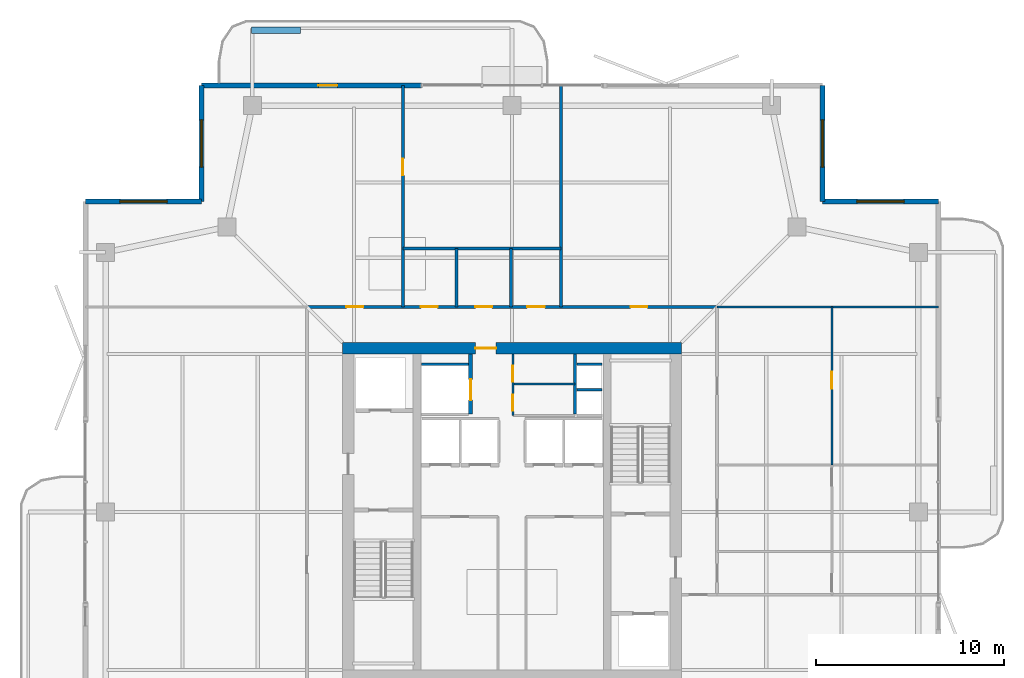
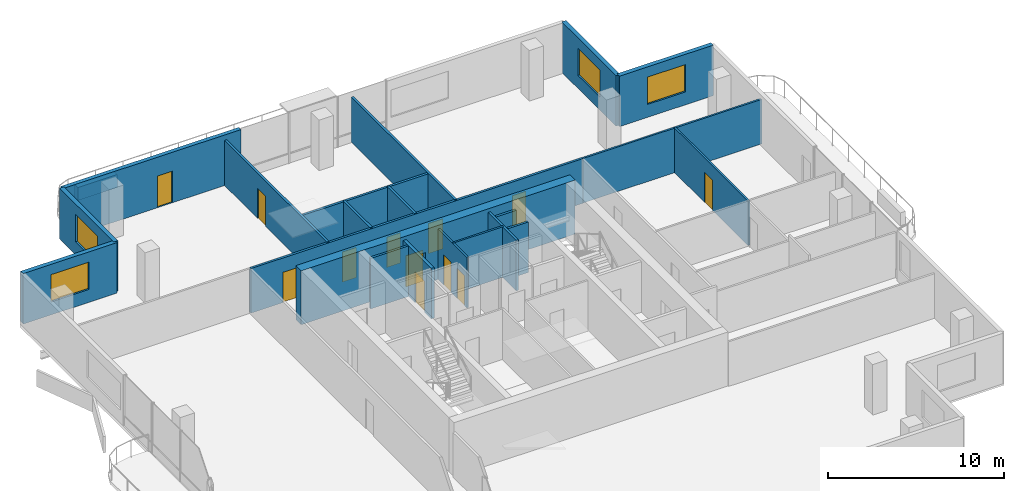
# One storey, part 14 of 18: 22 walls, 12 doors, 4 windows, 16 openings.
"""IFC4 building model written with IfcOpenShell, lengths in metres."""

from ifc_helpers import new_model, si_unit, direction, frame, frame_2d, origin, place, context, subcontext, project, spatial, rectangle, extrude, material, layer, layer_set, type_object, element, fill, save


model = new_model("IFC4")

# Units and contexts
model_context = context("Model", 3, precision=1e-05, world=origin(), true_north=direction((0.0, 1.0)))
body_context = subcontext(model_context, "Body", "Model", "MODEL_VIEW")
ifc_project = project(units=[si_unit("LENGTHUNIT", "METRE"), si_unit("AREAUNIT", "SQUARE_METRE"), si_unit("VOLUMEUNIT", "CUBIC_METRE"), si_unit("PLANEANGLEUNIT", "RADIAN"), si_unit("MASSUNIT", "GRAM", prefix="KILO")], contexts=[model_context])

# Site, building, storey
site_placement = place(None, origin())
site = spatial("IfcSite", under=ifc_project, at=site_placement, CompositionType="ELEMENT")
building_placement = place(site_placement, origin())
building = spatial("IfcBuilding", under=site, at=building_placement, Name="Belovzor Exchange Tower", CompositionType="ELEMENT")
storey_placement = place(building_placement, frame((0.0, 0.0, 318.0)))
storey = spatial("IfcBuildingStorey", under=building, at=storey_placement, Name="L79", CompositionType="ELEMENT", Elevation=318.0)

# Wall, opening, door
ifc_material_1 = material(Name="Acoustic Plasterboard on Galvanised Studs", Category="gypsum")
ifc_layer_1 = layer(ifc_material_1, 0.1201171875)
ifc_layer_set_1 = layer_set([ifc_layer_1], Name="Acoustic Plasterboard on Galvanised Studs")
wall_type_1 = type_object("IfcWallType", Name="Acoustic Double-Stud Partition Wall 120", PredefinedType="PARTITIONING", material=ifc_layer_set_1)
wall_1_placement = place(storey_placement, frame((45.802978515625, 31.294921875, 0.0), z_axis=(0.0, 0.0, 1.0), x_axis=(0.0, 1.0, 0.0)))
wall_1 = element("IfcWall", 1, at=wall_1_placement, inside=storey, type_object=wall_type_1, Name="W-P120 Partition Wall W-L79-EHDIV-2", PredefinedType="PARTITIONING", context=body_context, shape_type="SweptSolid", body=[
    extrude(rectangle(XDim=8.405029296875, YDim=0.1201171875, at=frame_2d((4.20263671875, 0.0))), origin(), (0.0, 0.0, 1.0), 3.094970703125),
])
opening_1_placement = place(wall_1_placement, frame((4.049072265625, 0.0, 0.0)))
opening_1 = element("IfcOpeningElement", 2, at=opening_1_placement, cuts=wall_1, Name="Opening D-INT-090", PredefinedType="OPENING", context=body_context, shape_type="SweptSolid", body=[
    extrude(rectangle(XDim=0.89990234375, YDim=2.10009765625, at=frame_2d((0.449951171875, 1.050048828125))), frame((0.0, 0.070068359375, 0.0), z_axis=(0.0, -1.0, 0.0), x_axis=(1.0, 0.0, 0.0)), (0.0, 0.0, 1.0), 0.14013671875),
])
ifc_material_2 = material(Name="Veneered Hardwood Acoustic Leaf", Category="wood")
door_type_1 = type_object("IfcDoorType", Name="Trading Suite Acoustic Single Door 900x2100", OperationType="NOTDEFINED", PredefinedType="DOOR", material=ifc_material_2)
door_1_placement = place(opening_1_placement, origin())
door_1 = element("IfcDoor", 3, at=door_1_placement, inside=storey, type_object=door_type_1, Name="D-INT-090 Trading Suite Acoustic Single Door 900x2100", OperationType="SINGLE_SWING_RIGHT", OverallHeight=2.10009765625, OverallWidth=0.89990234375, PredefinedType="DOOR", context=body_context, shape_type="SweptSolid", body=[
    extrude(rectangle(XDim=0.89990234375, YDim=2.10009765625, at=frame_2d((0.449951171875, 1.050048828125))), frame((0.0, 0.02490234375, 0.0), z_axis=(0.0, -1.0, 0.0), x_axis=(1.0, 0.0, 0.0)), (0.0, 0.0, 1.0), 0.050048828125),
])
fill(opening_1, door_1)

# Wall
wall_2_placement = place(storey_placement, frame((39.699951171875, 39.699951171875, 0.0), z_axis=(0.0, 0.0, 1.0), x_axis=(1.0, 0.0, 0.0)))
element("IfcWall", 4, at=wall_2_placement, inside=storey, type_object=wall_type_1, Name="W-P120 Partition Wall W-L79-END-NE", PredefinedType="PARTITIONING", context=body_context, shape_type="SweptSolid", body=[
    extrude(rectangle(XDim=11.77001953125, YDim=0.1201171875, at=frame_2d((5.885009765625, 0.0))), origin(), (0.0, 0.0, 1.0), 3.094970703125),
])

# Wall, openings, doors
ifc_material_3 = material(Name="Fire-Rated Plasterboard on Galvanised Studs", Category="gypsum")
ifc_layer_2 = layer(ifc_material_3, 0.1201171875)
ifc_layer_set_2 = layer_set([ifc_layer_2], Name="Fire-Rated Plasterboard on Galvanised Studs")
wall_type_2 = type_object("IfcWallType", Name="Fire-Rated Double-Stud Partition Wall 120", PredefinedType="PARTITIONING", material=ifc_layer_set_2)
wall_3_placement = place(storey_placement, frame((28.85009765625, 33.925048828125, 0.0), z_axis=(0.0, 0.0, 1.0), x_axis=(0.0, 1.0, 0.0)))
wall_3 = element("IfcWall", 5, at=wall_3_placement, inside=storey, type_object=wall_type_2, Name="W-P120F Partition Wall W-CRV-L79-W", PredefinedType="PARTITIONING", context=body_context, shape_type="SweptSolid", body=[
    extrude(rectangle(XDim=3.27490234375, YDim=0.1201171875, at=frame_2d((1.637451171875, 0.0))), origin(), (0.0, 0.0, 1.0), 3.510009765625),
])
opening_2_placement = place(wall_3_placement, frame((0.25, 0.0, 0.0)))
opening_2 = element("IfcOpeningElement", 6, at=opening_2_placement, cuts=wall_3, Name="Opening D-FD60-085", PredefinedType="OPENING", context=body_context, shape_type="SweptSolid", body=[
    extrude(rectangle(XDim=0.85009765625, YDim=2.10009765625, at=frame_2d((0.425048828125, 1.050048828125))), frame((0.0, 0.070068359375, 0.0), z_axis=(0.0, -1.0, 0.0), x_axis=(1.0, 0.0, 0.0)), (0.0, 0.0, 1.0), 0.14013671875),
])
opening_3_placement = place(wall_3_placement, frame((1.794921875, 0.0, 0.0)))
opening_3 = element("IfcOpeningElement", 7, at=opening_3_placement, cuts=wall_3, Name="Opening D-FD60-085", PredefinedType="OPENING", context=body_context, shape_type="SweptSolid", body=[
    extrude(rectangle(XDim=0.85009765625, YDim=2.10009765625, at=frame_2d((0.425048828125, 1.050048828125))), frame((0.0, 0.070068359375, 0.0), z_axis=(0.0, -1.0, 0.0), x_axis=(1.0, 0.0, 0.0)), (0.0, 0.0, 1.0), 0.14013671875),
])
ifc_material_4 = material(Name="Fire-Rated Steel Access Leaf", Category="steel")
door_type_2 = type_object("IfcDoorType", Name="Riser & Meter Closet Access Fire Door 850x2100", OperationType="NOTDEFINED", PredefinedType="DOOR", material=ifc_material_4)
door_2_placement = place(opening_2_placement, origin())
door_2 = element("IfcDoor", 8, at=door_2_placement, inside=storey, type_object=door_type_2, Name="D-FD60-085 Riser & Meter Closet Access Fire Door 850x2100", OperationType="SINGLE_SWING_LEFT", OverallHeight=2.10009765625, OverallWidth=0.85009765625, PredefinedType="DOOR", context=body_context, shape_type="SweptSolid", body=[
    extrude(rectangle(XDim=0.85009765625, YDim=2.10009765625, at=frame_2d((0.425048828125, 1.050048828125))), frame((0.0, 0.02490234375, 0.0), z_axis=(0.0, -1.0, 0.0), x_axis=(1.0, 0.0, 0.0)), (0.0, 0.0, 1.0), 0.050048828125),
])
fill(opening_2, door_2)
door_3_placement = place(opening_3_placement, origin())
door_3 = element("IfcDoor", 9, at=door_3_placement, inside=storey, type_object=door_type_2, Name="D-FD60-085 Riser & Meter Closet Access Fire Door 850x2100", OperationType="SINGLE_SWING_RIGHT", OverallHeight=2.10009765625, OverallWidth=0.85009765625, PredefinedType="DOOR", context=body_context, shape_type="SweptSolid", body=[
    extrude(rectangle(XDim=0.85009765625, YDim=2.10009765625, at=frame_2d((0.425048828125, 1.050048828125))), frame((0.0, 0.02490234375, 0.0), z_axis=(0.0, -1.0, 0.0), x_axis=(1.0, 0.0, 0.0)), (0.0, 0.0, 1.0), 0.050048828125),
])
fill(opening_3, door_3)

# Walls
wall_4_placement = place(storey_placement, frame((28.85009765625, 35.60009765625, 0.0), z_axis=(0.0, 0.0, 1.0), x_axis=(1.0, 0.0, 0.0)))
element("IfcWall", 10, at=wall_4_placement, inside=storey, type_object=wall_type_2, Name="W-P120F Partition Wall W-CRV-L79-M", PredefinedType="PARTITIONING", context=body_context, shape_type="SweptSolid", body=[
    extrude(rectangle(XDim=3.2998046875, YDim=0.1201171875, at=frame_2d((1.64990234375, 0.0))), origin(), (0.0, 0.0, 1.0), 3.510009765625),
])
ifc_material_5 = material(Name="Fire-Rated Gypsum Block and Mineral Wool", Category="gypsum")
ifc_layer_3 = layer(ifc_material_5, 0.14990234375)
ifc_layer_set_3 = layer_set([ifc_layer_3], Name="Fire-Rated Gypsum Block and Mineral Wool")
wall_type_3 = type_object("IfcWallType", Name="Fire-Rated Gypsum Block Corridor Wall 150", PredefinedType="PARTITIONING", material=ifc_layer_set_3)
wall_5_placement = place(storey_placement, frame((23.0, 42.800048828125, 0.0), z_axis=(0.0, 0.0, 1.0), x_axis=(1.0, 0.0, 0.0)))
element("IfcWall", 11, at=wall_5_placement, inside=storey, type_object=wall_type_3, Name="W-P150 Partition Wall W-L79-WCN", PredefinedType="PARTITIONING", context=body_context, shape_type="SweptSolid", body=[
    extrude(rectangle(XDim=8.39990234375, YDim=0.14990234375, at=frame_2d((4.199951171875, 0.0))), origin(), (0.0, 0.0, 1.0), 3.094970703125),
])

# Wall, opening, door
wall_6_placement = place(storey_placement, frame((23.0, 39.699951171875, 0.0), z_axis=(0.0, 0.0, 1.0), x_axis=(0.0, 1.0, 0.0)))
wall_6 = element("IfcWall", 12, at=wall_6_placement, inside=storey, type_object=wall_type_3, Name="W-P150 Partition Wall W-L79-WCW", PredefinedType="PARTITIONING", context=body_context, shape_type="SweptSolid", body=[
    extrude(rectangle(XDim=11.77001953125, YDim=0.14990234375, at=frame_2d((5.885009765625, 0.0))), origin(), (0.0, 0.0, 1.0), 3.135009765625),
])
opening_4_placement = place(wall_6_placement, frame((6.985107421875, 0.0, 0.0)))
opening_4 = element("IfcOpeningElement", 13, at=opening_4_placement, cuts=wall_6, Name="Opening D-INT-090", PredefinedType="OPENING", context=body_context, shape_type="SweptSolid", body=[
    extrude(rectangle(XDim=0.89990234375, YDim=2.10009765625, at=frame_2d((0.449951171875, 1.050048828125))), frame((0.0, 0.0849609375, 0.0), z_axis=(0.0, -1.0, 0.0), x_axis=(1.0, 0.0, 0.0)), (0.0, 0.0, 1.0), 0.169921875),
])
door_4_placement = place(opening_4_placement, origin())
door_4 = element("IfcDoor", 14, at=door_4_placement, inside=storey, type_object=door_type_1, Name="D-INT-090 Trading Suite Acoustic Single Door 900x2100", OperationType="SINGLE_SWING_LEFT", OverallHeight=2.10009765625, OverallWidth=0.89990234375, PredefinedType="DOOR", context=body_context, shape_type="SweptSolid", body=[
    extrude(rectangle(XDim=0.89990234375, YDim=2.10009765625, at=frame_2d((0.449951171875, 1.050048828125))), frame((0.0, 0.02490234375, 0.0), z_axis=(0.0, -1.0, 0.0), x_axis=(1.0, 0.0, 0.0)), (0.0, 0.0, 1.0), 0.050048828125),
])
fill(opening_4, door_4)

# Walls
wall_7_placement = place(storey_placement, frame((31.39990234375, 39.699951171875, 0.0), z_axis=(0.0, 0.0, 1.0), x_axis=(0.0, 1.0, 0.0)))
element("IfcWall", 15, at=wall_7_placement, inside=storey, type_object=wall_type_3, Name="W-P150 Partition Wall W-L79-WCE", PredefinedType="PARTITIONING", context=body_context, shape_type="SweptSolid", body=[
    extrude(rectangle(XDim=11.77001953125, YDim=0.14990234375, at=frame_2d((5.885009765625, 0.0))), origin(), (0.0, 0.0, 1.0), 3.135009765625),
])
wall_8_placement = place(storey_placement, frame((25.85009765625, 39.699951171875, 0.0), z_axis=(0.0, 0.0, 1.0), x_axis=(0.0, 1.0, 0.0)))
element("IfcWall", 16, at=wall_8_placement, inside=storey, type_object=wall_type_3, Name="W-P150 Partition Wall W-L79-WCD1", PredefinedType="PARTITIONING", context=body_context, shape_type="SweptSolid", body=[
    extrude(rectangle(XDim=3.10009765625, YDim=0.14990234375, at=frame_2d((1.550048828125, 0.0))), origin(), (0.0, 0.0, 1.0), 3.135009765625),
])
wall_9_placement = place(storey_placement, frame((28.75, 39.699951171875, 0.0), z_axis=(0.0, 0.0, 1.0), x_axis=(0.0, 1.0, 0.0)))
element("IfcWall", 17, at=wall_9_placement, inside=storey, type_object=wall_type_3, Name="W-P150 Partition Wall W-L79-WCD2", PredefinedType="PARTITIONING", context=body_context, shape_type="SweptSolid", body=[
    extrude(rectangle(XDim=3.10009765625, YDim=0.14990234375, at=frame_2d((1.550048828125, 0.0))), origin(), (0.0, 0.0, 1.0), 3.094970703125),
])

# Wall, openings, doors
wall_10_placement = place(storey_placement, frame((17.89990234375, 39.699951171875, 0.0), z_axis=(0.0, 0.0, 1.0), x_axis=(1.0, 0.0, 0.0)))
wall_10 = element("IfcWall", 18, at=wall_10_placement, inside=storey, type_object=wall_type_3, Name="W-P150 Partition Wall W-L79-CN", PredefinedType="PARTITIONING", context=body_context, shape_type="SweptSolid", body=[
    extrude(rectangle(XDim=21.800048828125, YDim=0.14990234375, at=frame_2d((10.89990234375, 0.0))), origin(), (0.0, 0.0, 1.0), 3.094970703125),
])
opening_5_placement = place(wall_10_placement, frame((2.10009765625, 0.0, 0.0)))
opening_5 = element("IfcOpeningElement", 19, at=opening_5_placement, cuts=wall_10, Name="Opening D-INT-090", PredefinedType="OPENING", context=body_context, shape_type="SweptSolid", body=[
    extrude(rectangle(XDim=0.89990234375, YDim=2.10009765625, at=frame_2d((0.449951171875, 1.050048828125))), frame((0.0, 0.0849609375, 0.0), z_axis=(0.0, -1.0, 0.0), x_axis=(1.0, 0.0, 0.0)), (0.0, 0.0, 1.0), 0.169921875),
])
opening_6_placement = place(wall_10_placement, frame((6.050048828125, 0.0, 0.0)))
opening_6 = element("IfcOpeningElement", 20, at=opening_6_placement, cuts=wall_10, Name="Opening D-FD60-090", PredefinedType="OPENING", context=body_context, shape_type="SweptSolid", body=[
    extrude(rectangle(XDim=0.89990234375, YDim=2.10009765625, at=frame_2d((0.449951171875, 1.050048828125))), frame((0.0, 0.0849609375, 0.0), z_axis=(0.0, -1.0, 0.0), x_axis=(1.0, 0.0, 0.0)), (0.0, 0.0, 1.0), 0.169921875),
])
opening_7_placement = place(wall_10_placement, frame((8.949951171875, 0.0, 0.0)))
opening_7 = element("IfcOpeningElement", 21, at=opening_7_placement, cuts=wall_10, Name="Opening D-FD60-090", PredefinedType="OPENING", context=body_context, shape_type="SweptSolid", body=[
    extrude(rectangle(XDim=0.89990234375, YDim=2.10009765625, at=frame_2d((0.449951171875, 1.050048828125))), frame((0.0, 0.0849609375, 0.0), z_axis=(0.0, -1.0, 0.0), x_axis=(1.0, 0.0, 0.0)), (0.0, 0.0, 1.0), 0.169921875),
])
opening_8_placement = place(wall_10_placement, frame((11.699951171875, 0.0, 0.0)))
opening_8 = element("IfcOpeningElement", 22, at=opening_8_placement, cuts=wall_10, Name="Opening D-FD60-095", PredefinedType="OPENING", context=body_context, shape_type="SweptSolid", body=[
    extrude(rectangle(XDim=0.949951171875, YDim=2.10009765625, at=frame_2d((0.47509765625, 1.050048828125))), frame((0.0, 0.0849609375, 0.0), z_axis=(0.0, -1.0, 0.0), x_axis=(1.0, 0.0, 0.0)), (0.0, 0.0, 1.0), 0.169921875),
])
opening_9_placement = place(wall_10_placement, frame((17.199951171875, 0.0, 0.0)))
opening_9 = element("IfcOpeningElement", 23, at=opening_9_placement, cuts=wall_10, Name="Opening D-INT-090", PredefinedType="OPENING", context=body_context, shape_type="SweptSolid", body=[
    extrude(rectangle(XDim=0.89990234375, YDim=2.10009765625, at=frame_2d((0.449951171875, 1.050048828125))), frame((0.0, 0.0849609375, 0.0), z_axis=(0.0, -1.0, 0.0), x_axis=(1.0, 0.0, 0.0)), (0.0, 0.0, 1.0), 0.169921875),
])
ifc_material_6 = material(Name="Moisture-Resistant Timber Fire Leaf", Category="wood")
door_type_3 = type_object("IfcDoorType", Name="Accessible Restroom Wide Fire Door 950x2100", OperationType="NOTDEFINED", PredefinedType="DOOR", material=ifc_material_6)
door_5_placement = place(opening_8_placement, origin())
door_5 = element("IfcDoor", 24, at=door_5_placement, inside=storey, type_object=door_type_3, Name="D-FD60-095 Accessible Restroom Wide Fire Door 950x2100", OperationType="SINGLE_SWING_LEFT", OverallHeight=2.10009765625, OverallWidth=0.949951171875, PredefinedType="DOOR", context=body_context, shape_type="SweptSolid", body=[
    extrude(rectangle(XDim=0.949951171875, YDim=2.10009765625, at=frame_2d((0.47509765625, 1.050048828125))), frame((0.0, 0.02490234375, 0.0), z_axis=(0.0, -1.0, 0.0), x_axis=(1.0, 0.0, 0.0)), (0.0, 0.0, 1.0), 0.050048828125),
])
fill(opening_8, door_5)
ifc_material_7 = material(Name="Acoustic Timber Fire Leaf", Category="wood")
door_type_4 = type_object("IfcDoorType", Name="Core Service & Restroom Fire Door 900x2100", OperationType="NOTDEFINED", PredefinedType="DOOR", material=ifc_material_7)
door_6_placement = place(opening_6_placement, origin())
door_6 = element("IfcDoor", 25, at=door_6_placement, inside=storey, type_object=door_type_4, Name="D-FD60-090 Core Service & Restroom Fire Door 900x2100", OperationType="SINGLE_SWING_LEFT", OverallHeight=2.10009765625, OverallWidth=0.89990234375, PredefinedType="DOOR", context=body_context, shape_type="SweptSolid", body=[
    extrude(rectangle(XDim=0.89990234375, YDim=2.10009765625, at=frame_2d((0.449951171875, 1.050048828125))), frame((0.0, 0.02490234375, 0.0), z_axis=(0.0, -1.0, 0.0), x_axis=(1.0, 0.0, 0.0)), (0.0, 0.0, 1.0), 0.050048828125),
])
fill(opening_6, door_6)
door_7_placement = place(opening_7_placement, origin())
door_7 = element("IfcDoor", 26, at=door_7_placement, inside=storey, type_object=door_type_4, Name="D-FD60-090 Core Service & Restroom Fire Door 900x2100", OperationType="SINGLE_SWING_RIGHT", OverallHeight=2.10009765625, OverallWidth=0.89990234375, PredefinedType="DOOR", context=body_context, shape_type="SweptSolid", body=[
    extrude(rectangle(XDim=0.89990234375, YDim=2.10009765625, at=frame_2d((0.449951171875, 1.050048828125))), frame((0.0, 0.02490234375, 0.0), z_axis=(0.0, -1.0, 0.0), x_axis=(1.0, 0.0, 0.0)), (0.0, 0.0, 1.0), 0.050048828125),
])
fill(opening_7, door_7)
door_8_placement = place(opening_5_placement, origin())
door_8 = element("IfcDoor", 27, at=door_8_placement, inside=storey, type_object=door_type_1, Name="D-INT-090 Trading Suite Acoustic Single Door 900x2100", OperationType="SINGLE_SWING_LEFT", OverallHeight=2.10009765625, OverallWidth=0.89990234375, PredefinedType="DOOR", context=body_context, shape_type="SweptSolid", body=[
    extrude(rectangle(XDim=0.89990234375, YDim=2.10009765625, at=frame_2d((0.449951171875, 1.050048828125))), frame((0.0, 0.02490234375, 0.0), z_axis=(0.0, -1.0, 0.0), x_axis=(1.0, 0.0, 0.0)), (0.0, 0.0, 1.0), 0.050048828125),
])
fill(opening_5, door_8)
door_9_placement = place(opening_9_placement, origin())
door_9 = element("IfcDoor", 28, at=door_9_placement, inside=storey, type_object=door_type_1, Name="D-INT-090 Trading Suite Acoustic Single Door 900x2100", OperationType="SINGLE_SWING_RIGHT", OverallHeight=2.10009765625, OverallWidth=0.89990234375, PredefinedType="DOOR", context=body_context, shape_type="SweptSolid", body=[
    extrude(rectangle(XDim=0.89990234375, YDim=2.10009765625, at=frame_2d((0.449951171875, 1.050048828125))), frame((0.0, 0.02490234375, 0.0), z_axis=(0.0, -1.0, 0.0), x_axis=(1.0, 0.0, 0.0)), (0.0, 0.0, 1.0), 0.050048828125),
])
fill(opening_9, door_9)

# Wall, opening, window
ifc_material_8 = material(Name="Precast concrete C40/50", Category="concrete")
ifc_layer_4 = layer(ifc_material_8, 0.280029296875)
ifc_layer_set_4 = layer_set([ifc_layer_4], Name="Precast concrete C40/50")
wall_type_4 = type_object("IfcWallType", Name="Precast Concrete Notched Corner Frame Wall 280", PredefinedType="SOLIDWALL", material=ifc_layer_set_4)
wall_11_placement = place(storey_placement, frame((6.1298828125, 45.300048828125, 0.0), z_axis=(0.0, 0.0, 1.0), x_axis=(1.0, 0.0, 0.0)))
wall_11 = element("IfcWall", 29, at=wall_11_placement, inside=storey, type_object=wall_type_4, Name="W-CRN280 Precast Concrete Notched Corner Frame Wall 280 L79", PredefinedType="SOLIDWALL", context=body_context, shape_type="SweptSolid", body=[
    extrude(rectangle(XDim=6.170166015625, YDim=0.280029296875, at=frame_2d((3.0849609375, 0.0))), origin(), (0.0, 0.0, 1.0), 3.510009765625),
])
opening_10_placement = place(wall_11_placement, frame((1.8349609375, 0.0, 0.89990234375)))
opening_10 = element("IfcOpeningElement", 30, at=opening_10_placement, cuts=wall_11, Name="Opening WN-CRN250", PredefinedType="OPENING", context=body_context, shape_type="SweptSolid", body=[
    extrude(rectangle(XDim=2.5, YDim=1.89990234375, at=frame_2d((1.25, 0.949951171875))), frame((0.0, 0.14990234375, 0.0), z_axis=(0.0, -1.0, 0.0), x_axis=(1.0, 0.0, 0.0)), (0.0, 0.0, 1.0), 0.300048828125),
])
ifc_material_9 = material(Name="Thermally Broken Aluminium and Triple Glazing", Category="aluminium")
window_type = type_object("IfcWindowType", Name="Streamline Moderne Corner Wrap Ribbon Window 2500x1900", PartitioningType="SINGLE_PANEL", PredefinedType="WINDOW", material=ifc_material_9)
window_1_placement = place(opening_10_placement, origin())
window_1 = element("IfcWindow", 31, at=window_1_placement, inside=storey, type_object=window_type, Name="WN-CRN250 Streamline Moderne Corner Wrap Ribbon Window 2500x1900", OverallHeight=1.89990234375, OverallWidth=2.5, PartitioningType="SINGLE_PANEL", PredefinedType="WINDOW", context=body_context, shape_type="SweptSolid", body=[
    extrude(rectangle(XDim=2.5, YDim=1.89990234375, at=frame_2d((1.25, 0.949951171875))), frame((0.0, 0.030029296875, 0.0), z_axis=(0.0, -1.0, 0.0), x_axis=(1.0, 0.0, 0.0)), (0.0, 0.0, 1.0), 0.06005859375),
])
fill(opening_10, window_1)

wall_12_placement = place(storey_placement, frame((12.300048828125, 45.300048828125, 0.0), z_axis=(0.0, 0.0, 1.0), x_axis=(0.0, 1.0, 0.0)))
wall_12 = element("IfcWall", 32, at=wall_12_placement, inside=storey, type_object=wall_type_4, Name="W-CRN280 Precast Concrete Notched Corner Frame Wall 280 L79", PredefinedType="SOLIDWALL", context=body_context, shape_type="SweptSolid", body=[
    extrude(rectangle(XDim=6.169921875, YDim=0.280029296875, at=frame_2d((3.0849609375, 0.0))), origin(), (0.0, 0.0, 1.0), 3.510009765625),
])
opening_11_placement = place(wall_12_placement, frame((1.8349609375, 0.0, 0.89990234375)))
opening_11 = element("IfcOpeningElement", 33, at=opening_11_placement, cuts=wall_12, Name="Opening WN-CRN250", PredefinedType="OPENING", context=body_context, shape_type="SweptSolid", body=[
    extrude(rectangle(XDim=2.5, YDim=1.89990234375, at=frame_2d((1.25, 0.949951171875))), frame((0.0, 0.14990234375, 0.0), z_axis=(0.0, -1.0, 0.0), x_axis=(1.0, 0.0, 0.0)), (0.0, 0.0, 1.0), 0.300048828125),
])
window_2_placement = place(opening_11_placement, origin())
window_2 = element("IfcWindow", 34, at=window_2_placement, inside=storey, type_object=window_type, Name="WN-CRN250 Streamline Moderne Corner Wrap Ribbon Window 2500x1900", OverallHeight=1.89990234375, OverallWidth=2.5, PartitioningType="SINGLE_PANEL", PredefinedType="WINDOW", context=body_context, shape_type="SweptSolid", body=[
    extrude(rectangle(XDim=2.5, YDim=1.89990234375, at=frame_2d((1.25, 0.949951171875))), frame((0.0, 0.030029296875, 0.0), z_axis=(0.0, -1.0, 0.0), x_axis=(1.0, 0.0, 0.0)), (0.0, 0.0, 1.0), 0.06005859375),
])
fill(opening_11, window_2)

wall_13_placement = place(storey_placement, frame((45.300048828125, 51.469970703125, 0.0), z_axis=(0.0, 0.0, 1.0), x_axis=(0.0, -1.0, 0.0)))
wall_13 = element("IfcWall", 35, at=wall_13_placement, inside=storey, type_object=wall_type_4, Name="W-CRN280 Precast Concrete Notched Corner Frame Wall 280 L79", PredefinedType="SOLIDWALL", context=body_context, shape_type="SweptSolid", body=[
    extrude(rectangle(XDim=6.169921875, YDim=0.280029296875, at=frame_2d((3.0849609375, 0.0))), origin(), (0.0, 0.0, 1.0), 3.510009765625),
])
opening_12_placement = place(wall_13_placement, frame((1.8349609375, 0.0, 0.89990234375)))
opening_12 = element("IfcOpeningElement", 36, at=opening_12_placement, cuts=wall_13, Name="Opening WN-CRN250", PredefinedType="OPENING", context=body_context, shape_type="SweptSolid", body=[
    extrude(rectangle(XDim=2.5, YDim=1.89990234375, at=frame_2d((1.25, 0.949951171875))), frame((0.0, 0.14990234375, 0.0), z_axis=(0.0, -1.0, 0.0), x_axis=(1.0, 0.0, 0.0)), (0.0, 0.0, 1.0), 0.300048828125),
])
window_3_placement = place(opening_12_placement, origin())
window_3 = element("IfcWindow", 37, at=window_3_placement, inside=storey, type_object=window_type, Name="WN-CRN250 Streamline Moderne Corner Wrap Ribbon Window 2500x1900", OverallHeight=1.89990234375, OverallWidth=2.5, PartitioningType="SINGLE_PANEL", PredefinedType="WINDOW", context=body_context, shape_type="SweptSolid", body=[
    extrude(rectangle(XDim=2.5, YDim=1.89990234375, at=frame_2d((1.25, 0.949951171875))), frame((0.0, 0.030029296875, 0.0), z_axis=(0.0, -1.0, 0.0), x_axis=(1.0, 0.0, 0.0)), (0.0, 0.0, 1.0), 0.06005859375),
])
fill(opening_12, window_3)

wall_14_placement = place(storey_placement, frame((45.300048828125, 45.300048828125, 0.0), z_axis=(0.0, 0.0, 1.0), x_axis=(1.0, 0.0, 0.0)))
wall_14 = element("IfcWall", 38, at=wall_14_placement, inside=storey, type_object=wall_type_4, Name="W-CRN280 Precast Concrete Notched Corner Frame Wall 280 L79", PredefinedType="SOLIDWALL", context=body_context, shape_type="SweptSolid", body=[
    extrude(rectangle(XDim=6.169921875, YDim=0.280029296875, at=frame_2d((3.0849609375, 0.0))), origin(), (0.0, 0.0, 1.0), 3.510009765625),
])
opening_13_placement = place(wall_14_placement, frame((1.8349609375, 0.0, 0.89990234375)))
opening_13 = element("IfcOpeningElement", 39, at=opening_13_placement, cuts=wall_14, Name="Opening WN-CRN250", PredefinedType="OPENING", context=body_context, shape_type="SweptSolid", body=[
    extrude(rectangle(XDim=2.5, YDim=1.89990234375, at=frame_2d((1.25, 0.949951171875))), frame((0.0, 0.14990234375, 0.0), z_axis=(0.0, -1.0, 0.0), x_axis=(1.0, 0.0, 0.0)), (0.0, 0.0, 1.0), 0.300048828125),
])
window_4_placement = place(opening_13_placement, origin())
window_4 = element("IfcWindow", 40, at=window_4_placement, inside=storey, type_object=window_type, Name="WN-CRN250 Streamline Moderne Corner Wrap Ribbon Window 2500x1900", OverallHeight=1.89990234375, OverallWidth=2.5, PartitioningType="SINGLE_PANEL", PredefinedType="WINDOW", context=body_context, shape_type="SweptSolid", body=[
    extrude(rectangle(XDim=2.5, YDim=1.89990234375, at=frame_2d((1.25, 0.949951171875))), frame((0.0, 0.030029296875, 0.0), z_axis=(0.0, -1.0, 0.0), x_axis=(1.0, 0.0, 0.0)), (0.0, 0.0, 1.0), 0.06005859375),
])
fill(opening_13, window_4)

# Wall, opening, door
ifc_material_10 = material(Name="Precast concrete C40/50", Category="concrete")
ifc_layer_5 = layer(ifc_material_10, 0.260009765625)
ifc_layer_set_5 = layer_set([ifc_layer_5], Name="Precast concrete C40/50")
wall_type_5 = type_object("IfcWallType", Name="Precast Concrete Perimeter Loggia Frame Wall 260", PredefinedType="SOLIDWALL", material=ifc_layer_set_5)
wall_15_placement = place(storey_placement, frame((12.300048828125, 51.469970703125, 0.0), z_axis=(0.0, 0.0, 1.0), x_axis=(1.0, 0.0, 0.0)))
wall_15 = element("IfcWall", 41, at=wall_15_placement, inside=storey, type_object=wall_type_5, Name="W-EXT260 Precast Concrete Perimeter Loggia Frame Wall 260 L79", PredefinedType="SOLIDWALL", context=body_context, shape_type="SweptSolid", body=[
    extrude(rectangle(XDim=11.699951171875, YDim=0.260009765625, at=frame_2d((5.85009765625, 0.0))), origin(), (0.0, 0.0, 1.0), 3.510009765625),
])
opening_14_placement = place(wall_15_placement, frame((6.215087890625, 0.0, 0.0)))
opening_14 = element("IfcOpeningElement", 42, at=opening_14_placement, cuts=wall_15, Name="Opening D-BAL100", PredefinedType="OPENING", context=body_context, shape_type="SweptSolid", body=[
    extrude(rectangle(XDim=1.0, YDim=2.199951171875, at=frame_2d((0.5, 1.10009765625))), frame((0.0, 0.139892578125, 0.0), z_axis=(0.0, -1.0, 0.0), x_axis=(1.0, 0.0, 0.0)), (0.0, 0.0, 1.0), 0.280029296875),
])
ifc_material_11 = material(Name="Thermally Broken Anodised Aluminium and Laminated Glass", Category="aluminium")
door_type_5 = type_object("IfcDoorType", Name="Planted Loggia Terrace Glazed Door 1000x2200", OperationType="SINGLE_SWING_LEFT", PredefinedType="DOOR", material=ifc_material_11)
door_10_placement = place(opening_14_placement, origin())
door_10 = element("IfcDoor", 43, at=door_10_placement, inside=storey, type_object=door_type_5, Name="D-BAL100 Balcony Terrace Door L79 N", OperationType="SINGLE_SWING_RIGHT", OverallHeight=2.199951171875, OverallWidth=1.0, PredefinedType="DOOR", context=body_context, shape_type="SweptSolid", body=[
    extrude(rectangle(XDim=1.0, YDim=2.199951171875, at=frame_2d((0.5, 1.10009765625))), frame((0.0, 0.02490234375, 0.0), z_axis=(0.0, -1.0, 0.0), x_axis=(1.0, 0.0, 0.0)), (0.0, 0.0, 1.0), 0.050048828125),
])
fill(opening_14, door_10)

# Walls
ifc_material_12 = material(Name="Precast concrete C40/50", Category="concrete")
ifc_layer_6 = layer(ifc_material_12, 0.35009765625)
ifc_layer_set_6 = layer_set([ifc_layer_6], Name="Precast concrete C40/50")
wall_type_6 = type_object("IfcWallType", Name="Precast Concrete Structural Tree Planter Trough 350", PredefinedType="PARAPET", material=ifc_layer_set_6)
wall_16_placement = place(storey_placement, frame((14.949951171875, 54.39990234375, 0.0), z_axis=(0.0, 0.0, 1.0), x_axis=(1.0, 0.0, 0.0)))
element("IfcWall", 44, at=wall_16_placement, inside=storey, type_object=wall_type_6, Name="PT-350 Precast Concrete Structural Tree Planter Trough 350 L79", PredefinedType="PARAPET", context=body_context, shape_type="SweptSolid", body=[
    extrude(rectangle(XDim=2.60009765625, YDim=0.35009765625, at=frame_2d((1.300048828125, 0.0))), origin(), (0.0, 0.0, 1.0), 0.89990234375),
])
ifc_material_13 = material(Name="Concrete C50/60", Category="concrete")
ifc_layer_7 = layer(ifc_material_13, 0.14990234375)
ifc_layer_set_7 = layer_set([ifc_layer_7], Name="Concrete C50/60")
wall_type_7 = type_object("IfcWallType", Name="Reinforced Concrete Core Riser Shear Wall 150", PredefinedType="SHEAR", material=ifc_layer_set_7)
wall_17_placement = place(storey_placement, frame((32.14990234375, 34.0, 0.0), z_axis=(0.0, 0.0, 1.0), x_axis=(0.0, 1.0, 0.0)))
element("IfcWall", 45, at=wall_17_placement, inside=storey, type_object=wall_type_7, Name="W-C150S Core Shaft Wall W-RSR-L79-E", PredefinedType="SHEAR", context=body_context, shape_type="SweptSolid", body=[
    extrude(rectangle(XDim=3.199951171875, YDim=0.14990234375, at=frame_2d((1.60009765625, 0.0))), origin(), (0.0, 0.0, 1.0), 3.510009765625),
])
wall_18_placement = place(storey_placement, frame((32.25, 35.300048828125, 0.0), z_axis=(0.0, 0.0, 1.0), x_axis=(1.0, 0.0, 0.0)))
element("IfcWall", 46, at=wall_18_placement, inside=storey, type_object=wall_type_7, Name="W-C150S Core Shaft Wall W-RSR-L79-M", PredefinedType="SHEAR", context=body_context, shape_type="SweptSolid", body=[
    extrude(rectangle(XDim=1.330078125, YDim=0.14990234375, at=frame_2d((0.6650390625, 0.0))), origin(), (0.0, 0.0, 1.0), 3.510009765625),
])
wall_19_placement = place(storey_placement, frame((24.0, 36.64990234375, 0.0), z_axis=(0.0, 0.0, 1.0), x_axis=(1.0, 0.0, 0.0)))
element("IfcWall", 47, at=wall_19_placement, inside=storey, type_object=wall_type_7, Name="W-C150S Core Shaft Wall W-SH-L79-SL-01N", PredefinedType="SHEAR", context=body_context, shape_type="SweptSolid", body=[
    extrude(rectangle(XDim=2.47998046875, YDim=0.14990234375, at=frame_2d((1.239990234375, 0.0))), origin(), (0.0, 0.0, 1.0), 3.510009765625),
])
wall_20_placement = place(storey_placement, frame((32.25, 36.64990234375, 0.0), z_axis=(0.0, 0.0, 1.0), x_axis=(1.0, 0.0, 0.0)))
element("IfcWall", 48, at=wall_20_placement, inside=storey, type_object=wall_type_7, Name="W-C150S Core Shaft Wall W-RSR-L79-N", PredefinedType="SHEAR", context=body_context, shape_type="SweptSolid", body=[
    extrude(rectangle(XDim=1.330078125, YDim=0.14990234375, at=frame_2d((0.6650390625, 0.0))), origin(), (0.0, 0.0, 1.0), 3.510009765625),
])

# Wall, opening, door
ifc_material_14 = material(Name="Concrete C50/60", Category="concrete")
ifc_layer_8 = layer(ifc_material_14, 0.199951171875)
ifc_layer_set_8 = layer_set([ifc_layer_8], Name="Concrete C50/60")
wall_type_8 = type_object("IfcWallType", Name="Reinforced Concrete Core Shaft Shear Wall 200", PredefinedType="SHEAR", material=ifc_layer_set_8)
wall_21_placement = place(storey_placement, frame((26.60009765625, 34.0, 0.0), z_axis=(0.0, 0.0, 1.0), x_axis=(0.0, 1.0, 0.0)))
wall_21 = element("IfcWall", 49, at=wall_21_placement, inside=storey, type_object=wall_type_8, Name="W-C200S Core Shaft Wall W-SH-L79-SL-01", PredefinedType="SHEAR", context=body_context, shape_type="SweptSolid", body=[
    extrude(rectangle(XDim=3.199951171875, YDim=0.199951171875, at=frame_2d((1.60009765625, 0.0))), origin(), (0.0, 0.0, 1.0), 3.510009765625),
])
opening_15_placement = place(wall_21_placement, frame((0.75, 0.0, 0.0)))
opening_15 = element("IfcOpeningElement", 50, at=opening_15_placement, cuts=wall_21, Name="Opening LD-110", PredefinedType="OPENING", context=body_context, shape_type="SweptSolid", body=[
    extrude(rectangle(XDim=1.10009765625, YDim=2.14990234375, at=frame_2d((0.550048828125, 1.074951171875))), frame((0.0, 0.10986328125, 0.0), z_axis=(0.0, -1.0, 0.0), x_axis=(1.0, 0.0, 0.0)), (0.0, 0.0, 1.0), 0.219970703125),
])
ifc_material_15 = material(Name="Stainless Steel Grade 304", Category="steel")
door_type_6 = type_object("IfcDoorType", Name="Automated Stainless Steel Lift Landing Door 1100x2150", OperationType="SLIDING_TO_RIGHT", PredefinedType="DOOR", material=ifc_material_15)
door_11_placement = place(opening_15_placement, origin())
door_11 = element("IfcDoor", 51, at=door_11_placement, inside=storey, type_object=door_type_6, Name="LD-110 Automated Stainless Steel Lift Landing Door 1100x2150", OperationType="SLIDING_TO_RIGHT", OverallHeight=2.14990234375, OverallWidth=1.10009765625, PredefinedType="DOOR", context=body_context, shape_type="SweptSolid", body=[
    extrude(rectangle(XDim=1.10009765625, YDim=2.14990234375, at=frame_2d((0.550048828125, 1.074951171875))), frame((0.0, 0.02490234375, 0.0), z_axis=(0.0, -1.0, 0.0), x_axis=(1.0, 0.0, 0.0)), (0.0, 0.0, 1.0), 0.050048828125),
])
fill(opening_15, door_11)

ifc_material_16 = material(Name="Concrete C50/60", Category="concrete")
ifc_layer_9 = layer(ifc_material_16, 0.60009765625)
ifc_layer_set_9 = layer_set([ifc_layer_9], Name="Concrete C50/60")
wall_type_9 = type_object("IfcWallType", Name="Reinforced Concrete Core Shear Wall 600", PredefinedType="SHEAR", material=ifc_layer_set_9)
wall_22_placement = place(storey_placement, frame((19.800048828125, 37.5, 0.0), z_axis=(0.0, 0.0, 1.0), x_axis=(1.0, 0.0, 0.0)))
wall_22 = element("IfcWall", 52, at=wall_22_placement, inside=storey, type_object=wall_type_9, Name="CW-S060 Core Shear Wall L79 N", PredefinedType="SHEAR", context=body_context, shape_type="SweptSolid", body=[
    extrude(rectangle(XDim=18.0, YDim=0.60009765625, at=frame_2d((9.0, 0.0))), origin(), (0.0, 0.0, 1.0), 3.75),
])
opening_16_placement = place(wall_22_placement, frame((7.050048828125, 0.0, 0.0)))
opening_16 = element("IfcOpeningElement", 53, at=opening_16_placement, cuts=wall_22, Name="Opening D-FD90-110", PredefinedType="OPENING", context=body_context, shape_type="SweptSolid", body=[
    extrude(rectangle(XDim=1.10009765625, YDim=2.14990234375, at=frame_2d((0.550048828125, 1.074951171875))), frame((0.0, 0.31005859375, 0.0), z_axis=(0.0, -1.0, 0.0), x_axis=(1.0, 0.0, 0.0)), (0.0, 0.0, 1.0), 0.6201171875),
])
ifc_material_17 = material(Name="Fire-Rated Galvanised Steel Leaf", Category="steel")
door_type_7 = type_object("IfcDoorType", Name="Protected Escape Vestibule Fire Door 1100x2150", OperationType="NOTDEFINED", PredefinedType="DOOR", material=ifc_material_17)
door_12_placement = place(opening_16_placement, origin())
door_12 = element("IfcDoor", 54, at=door_12_placement, inside=storey, type_object=door_type_7, Name="D-FD90-110 Protected Escape Vestibule Fire Door 1100x2150", OperationType="SINGLE_SWING_LEFT", OverallHeight=2.14990234375, OverallWidth=1.10009765625, PredefinedType="DOOR", context=body_context, shape_type="SweptSolid", body=[
    extrude(rectangle(XDim=1.10009765625, YDim=2.14990234375, at=frame_2d((0.550048828125, 1.074951171875))), frame((0.0, 0.02490234375, 0.0), z_axis=(0.0, -1.0, 0.0), x_axis=(1.0, 0.0, 0.0)), (0.0, 0.0, 1.0), 0.050048828125),
])
fill(opening_16, door_12)

save(model, "model.ifc")
